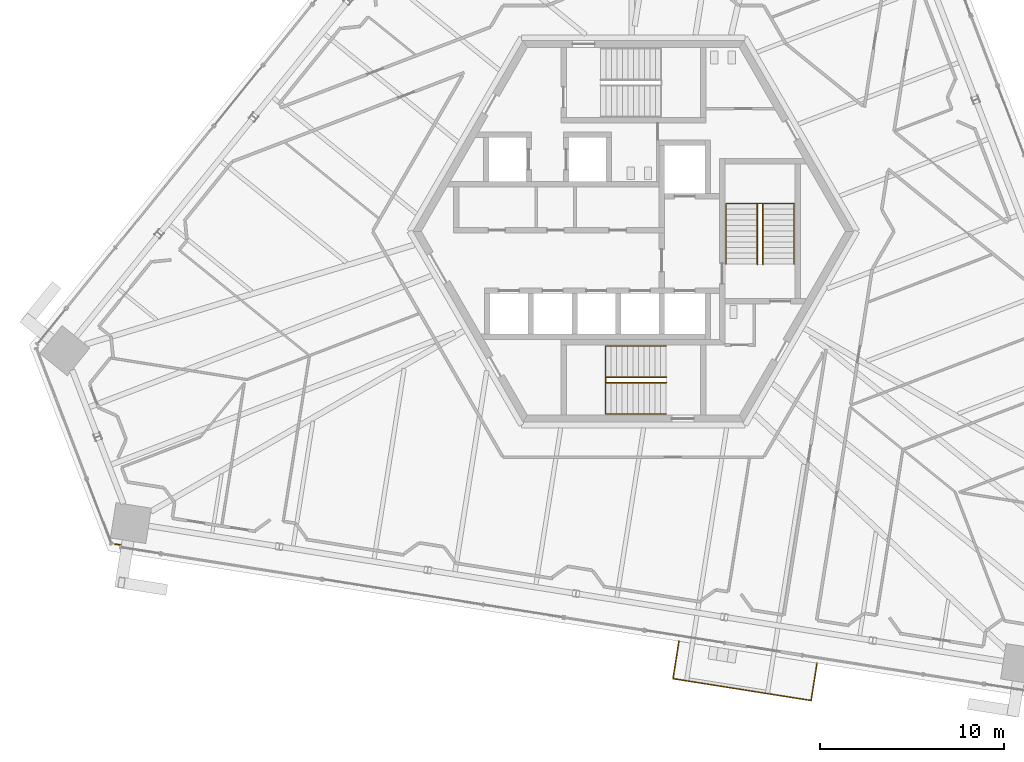
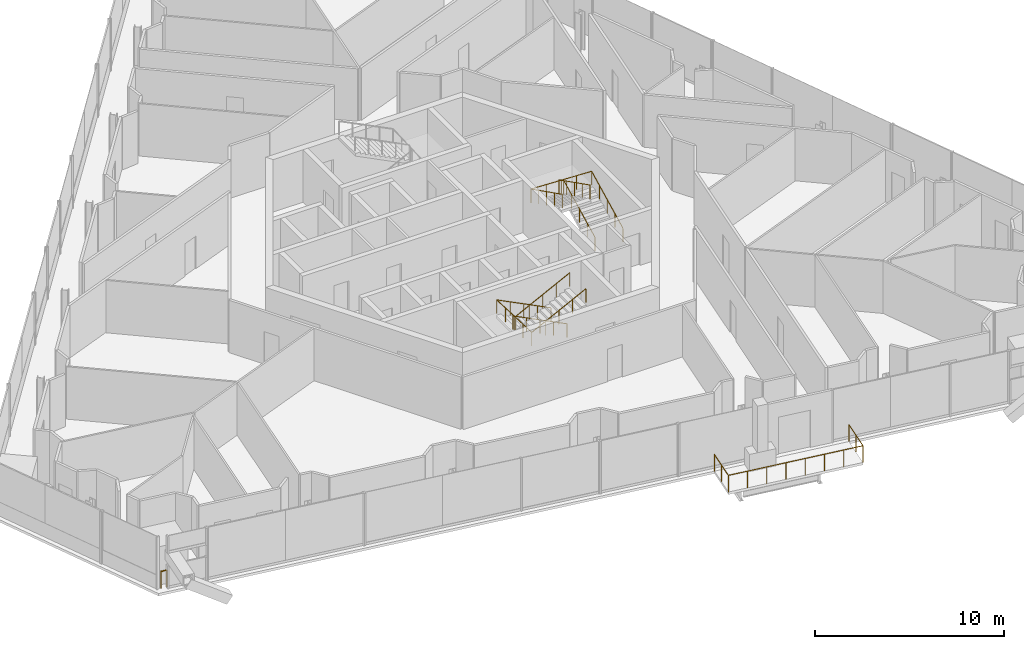
# One storey, part 19 of 23: 6 railings.
"""IFC4 building model written with IfcOpenShell, lengths in metres."""

from ifc_helpers import new_model, si_unit, direction, frame, origin, origin_2d, place, context, subcontext, project, spatial, circle, extrude, source, transform, mapped, material, type_object, element, save


model = new_model("IFC4")

# Units and contexts
model_context = context("Model", 3, precision=1e-05, world=origin(), true_north=direction((0.0, 1.0)))
body_context = subcontext(model_context, "Body", "Model", "MODEL_VIEW")
ifc_project = project(units=[si_unit("LENGTHUNIT", "METRE"), si_unit("AREAUNIT", "SQUARE_METRE"), si_unit("VOLUMEUNIT", "CUBIC_METRE"), si_unit("PLANEANGLEUNIT", "RADIAN"), si_unit("MASSUNIT", "GRAM", prefix="KILO")], contexts=[model_context])

# Site, building, storey
site_placement = place(None, origin())
site = spatial("IfcSite", under=ifc_project, at=site_placement, CompositionType="ELEMENT")
building_placement = place(site_placement, origin())
building = spatial("IfcBuilding", under=site, at=building_placement, Name="Triune Harvest Tower", CompositionType="ELEMENT")
storey_placement = place(building_placement, frame((0.0, 0.0, 171.300048828125)))
storey = spatial("IfcBuildingStorey", under=building, at=storey_placement, Name="L44", CompositionType="ELEMENT", Elevation=171.300048828125)

# Railings
ifc_material_1 = material(Name="Glass", Category="glass")
railing_type_1 = type_object("IfcRailingType", Name="GD-3 facade guard 1100", PredefinedType="GUARDRAIL", material=ifc_material_1)
railing_1_placement = place(storey_placement, frame((-28.209716796875, -17.023193359375, 0.0)))
element("IfcRailing", 1, at=railing_1_placement, inside=storey, type_object=railing_type_1, Name="Facade guard B4-F5 L44.1.1", PredefinedType="GUARDRAIL", context=body_context, shape_type="SweptSolid", body=[
    extrude(circle(Radius=0.02392578125, at=origin_2d()), frame((0.0, 0.0, 1.076171875), z_axis=(0.987617161826, -0.156883210275, 0.0), x_axis=(0.156883210275, 0.987617161826, 0.0)), (0.0, 0.0, 1.0), 0.326904296875),
    extrude(circle(Radius=0.02099609375, at=origin_2d()), origin(), (0.0, 0.0, 1.0), 1.052001953125),
    extrude(circle(Radius=0.02099609375, at=origin_2d()), frame((0.32275390625, -0.05126953125, 0.0)), (0.0, 0.0, 1.0), 1.052001953125),
])
ifc_material_2 = material(Name="Stainless steel AISI 316", Category="steel")
railing_type_2 = type_object("IfcRailingType", Name="Stair handrail", PredefinedType="HANDRAIL", material=ifc_material_2)
railing_2_placement = place(storey_placement, frame((1.7900390625, -6.239990234375, 0.15087890625)))
element("IfcRailing", 2, at=railing_2_placement, inside=storey, type_object=railing_type_2, Name="Exit stair south wall handrail", PredefinedType="HANDRAIL", context=body_context, shape_type="SweptSolid", body=[
    extrude(circle(Radius=0.02392578125, at=origin_2d()), frame((0.0, 0.0, 0.8759765625), z_axis=(-0.893168195916, 0.0, 0.449722774388), x_axis=(0.0, -1.0, 0.0)), (0.0, 0.0, 1.0), 3.69482421875),
    extrude(circle(Radius=0.02392578125, at=origin_2d()), frame((-3.300048828125, 0.0, 2.53759765625), z_axis=(0.0, -0.999169587562, 0.040744757843), x_axis=(1.0, 0.0, 0.0)), (0.0, 0.0, 1.0), 3.703125),
    extrude(circle(Radius=0.02392578125, at=origin_2d()), frame((-3.300048828125, -3.699951171875, 2.6884765625), z_axis=(0.893168195916, 0.0, 0.449722774388), x_axis=(0.0, 1.0, 0.0)), (0.0, 0.0, 1.0), 3.69482421875),
    extrude(circle(Radius=0.02099609375, at=origin_2d()), origin(), (0.0, 0.0, 1.0), 0.851806640625),
    extrude(circle(Radius=0.02099609375, at=origin_2d()), frame((-0.824951171875, 0.0, 0.41552734375)), (0.0, 0.0, 1.0), 0.851806640625),
    extrude(circle(Radius=0.02099609375, at=origin_2d()), frame((-1.64990234375, 0.0, 0.830810546875)), (0.0, 0.0, 1.0), 0.851806640625),
    extrude(circle(Radius=0.02099609375, at=origin_2d()), frame((-2.47509765625, 0.0, 1.24609375)), (0.0, 0.0, 1.0), 0.851806640625),
    extrude(circle(Radius=0.02099609375, at=origin_2d()), frame((-3.300048828125, 0.0, 1.66162109375)), (0.0, 0.0, 1.0), 0.851806640625),
    extrude(circle(Radius=0.02099609375, at=origin_2d()), frame((-3.300048828125, -0.925048828125, 1.69921875)), (0.0, 0.0, 1.0), 0.851806640625),
    extrude(circle(Radius=0.02099609375, at=origin_2d()), frame((-3.300048828125, -1.85009765625, 1.737060546875)), (0.0, 0.0, 1.0), 0.851806640625),
    extrude(circle(Radius=0.02099609375, at=origin_2d()), frame((-3.300048828125, -2.77490234375, 1.77490234375)), (0.0, 0.0, 1.0), 0.851806640625),
    extrude(circle(Radius=0.02099609375, at=origin_2d()), frame((-3.300048828125, -3.699951171875, 1.8125)), (0.0, 0.0, 1.0), 0.851806640625),
    extrude(circle(Radius=0.02099609375, at=origin_2d()), frame((-2.47509765625, -3.699951171875, 2.22802734375)), (0.0, 0.0, 1.0), 0.851806640625),
    extrude(circle(Radius=0.02099609375, at=origin_2d()), frame((-1.64990234375, -3.699951171875, 2.643310546875)), (0.0, 0.0, 1.0), 0.851806640625),
    extrude(circle(Radius=0.02099609375, at=origin_2d()), frame((-0.824951171875, -3.699951171875, 3.05859375)), (0.0, 0.0, 1.0), 0.851806640625),
    extrude(circle(Radius=0.02099609375, at=origin_2d()), frame((0.0, -3.699951171875, 3.47412109375)), (0.0, 0.0, 1.0), 0.851806640625),
])
railing_3_placement = place(storey_placement, frame((1.7900390625, -7.93994140625, 0.15087890625)))
element("IfcRailing", 3, at=railing_3_placement, inside=storey, type_object=railing_type_2, Name="Exit stair south centre handrail", PredefinedType="HANDRAIL", context=body_context, shape_type="SweptSolid", body=[
    extrude(circle(Radius=0.02392578125, at=origin_2d()), frame((0.0, 0.0, 0.8759765625), z_axis=(-0.893168195916, 0.0, 0.449722774388), x_axis=(0.0, -1.0, 0.0)), (0.0, 0.0, 1.0), 3.69482421875),
    extrude(circle(Radius=0.02392578125, at=origin_2d()), frame((-3.300048828125, 0.0, 2.53759765625), z_axis=(0.0, -0.8934071614, 0.449247864724), x_axis=(1.0, 0.0, 0.0)), (0.0, 0.0, 1.0), 0.3359375),
    extrude(circle(Radius=0.02392578125, at=origin_2d()), frame((-3.300048828125, -0.300048828125, 2.6884765625), z_axis=(0.893168195916, 0.0, 0.449722774388), x_axis=(0.0, 1.0, 0.0)), (0.0, 0.0, 1.0), 3.69482421875),
    extrude(circle(Radius=0.02099609375, at=origin_2d()), origin(), (0.0, 0.0, 1.0), 0.851806640625),
    extrude(circle(Radius=0.02099609375, at=origin_2d()), frame((-0.824951171875, 0.0, 0.41552734375)), (0.0, 0.0, 1.0), 0.851806640625),
    extrude(circle(Radius=0.02099609375, at=origin_2d()), frame((-1.64990234375, 0.0, 0.830810546875)), (0.0, 0.0, 1.0), 0.851806640625),
    extrude(circle(Radius=0.02099609375, at=origin_2d()), frame((-2.47509765625, 0.0, 1.24609375)), (0.0, 0.0, 1.0), 0.851806640625),
    extrude(circle(Radius=0.02099609375, at=origin_2d()), frame((-3.300048828125, 0.0, 1.66162109375)), (0.0, 0.0, 1.0), 0.851806640625),
    extrude(circle(Radius=0.02099609375, at=origin_2d()), frame((-3.300048828125, -0.300048828125, 1.8125)), (0.0, 0.0, 1.0), 0.851806640625),
    extrude(circle(Radius=0.02099609375, at=origin_2d()), frame((-2.47509765625, -0.300048828125, 2.22802734375)), (0.0, 0.0, 1.0), 0.851806640625),
    extrude(circle(Radius=0.02099609375, at=origin_2d()), frame((-1.64990234375, -0.300048828125, 2.643310546875)), (0.0, 0.0, 1.0), 0.851806640625),
    extrude(circle(Radius=0.02099609375, at=origin_2d()), frame((-0.824951171875, -0.300048828125, 3.05859375)), (0.0, 0.0, 1.0), 0.851806640625),
    extrude(circle(Radius=0.02099609375, at=origin_2d()), frame((0.0, -0.300048828125, 3.47412109375)), (0.0, 0.0, 1.0), 0.851806640625),
])
railing_4_placement = place(storey_placement, frame((8.75, -1.7900390625, 0.15087890625)))
element("IfcRailing", 4, at=railing_4_placement, inside=storey, type_object=railing_type_2, Name="Exit stair east wall handrail", PredefinedType="HANDRAIL", context=body_context, shape_type="SweptSolid", body=[
    extrude(circle(Radius=0.02392578125, at=origin_2d()), frame((0.0, 0.0, 0.8759765625), z_axis=(0.0, 0.893168195916, 0.449722774388), x_axis=(-1.0, 0.0, 0.0)), (0.0, 0.0, 1.0), 3.69482421875),
    extrude(circle(Radius=0.02392578125, at=origin_2d()), frame((0.0, 3.300048828125, 2.53759765625), z_axis=(-0.999169587562, 0.0, 0.040744757843), x_axis=(0.0, -1.0, 0.0)), (0.0, 0.0, 1.0), 3.703125),
    extrude(circle(Radius=0.02392578125, at=origin_2d()), frame((-3.699951171875, 3.300048828125, 2.6884765625), z_axis=(0.0, -0.893168195916, 0.449722774388), x_axis=(1.0, 0.0, 0.0)), (0.0, 0.0, 1.0), 3.69482421875),
    extrude(circle(Radius=0.02099609375, at=origin_2d()), origin(), (0.0, 0.0, 1.0), 0.851806640625),
    extrude(circle(Radius=0.02099609375, at=origin_2d()), frame((0.0, 0.824951171875, 0.41552734375)), (0.0, 0.0, 1.0), 0.851806640625),
    extrude(circle(Radius=0.02099609375, at=origin_2d()), frame((0.0, 1.64990234375, 0.830810546875)), (0.0, 0.0, 1.0), 0.851806640625),
    extrude(circle(Radius=0.02099609375, at=origin_2d()), frame((0.0, 2.47509765625, 1.24609375)), (0.0, 0.0, 1.0), 0.851806640625),
    extrude(circle(Radius=0.02099609375, at=origin_2d()), frame((0.0, 3.300048828125, 1.66162109375)), (0.0, 0.0, 1.0), 0.851806640625),
    extrude(circle(Radius=0.02099609375, at=origin_2d()), frame((-0.925048828125, 3.300048828125, 1.69921875)), (0.0, 0.0, 1.0), 0.851806640625),
    extrude(circle(Radius=0.02099609375, at=origin_2d()), frame((-1.85009765625, 3.300048828125, 1.737060546875)), (0.0, 0.0, 1.0), 0.851806640625),
    extrude(circle(Radius=0.02099609375, at=origin_2d()), frame((-2.77490234375, 3.300048828125, 1.77490234375)), (0.0, 0.0, 1.0), 0.851806640625),
    extrude(circle(Radius=0.02099609375, at=origin_2d()), frame((-3.699951171875, 3.300048828125, 1.8125)), (0.0, 0.0, 1.0), 0.851806640625),
    extrude(circle(Radius=0.02099609375, at=origin_2d()), frame((-3.699951171875, 2.47509765625, 2.22802734375)), (0.0, 0.0, 1.0), 0.851806640625),
    extrude(circle(Radius=0.02099609375, at=origin_2d()), frame((-3.699951171875, 1.64990234375, 2.643310546875)), (0.0, 0.0, 1.0), 0.851806640625),
    extrude(circle(Radius=0.02099609375, at=origin_2d()), frame((-3.699951171875, 0.824951171875, 3.05859375)), (0.0, 0.0, 1.0), 0.851806640625),
    extrude(circle(Radius=0.02099609375, at=origin_2d()), frame((-3.699951171875, 0.0, 3.47412109375)), (0.0, 0.0, 1.0), 0.851806640625),
])
railing_5_placement = place(storey_placement, frame((7.050048828125, -1.7900390625, 0.15087890625)))
element("IfcRailing", 5, at=railing_5_placement, inside=storey, type_object=railing_type_2, Name="Exit stair east centre handrail", PredefinedType="HANDRAIL", context=body_context, shape_type="SweptSolid", body=[
    extrude(circle(Radius=0.02392578125, at=origin_2d()), frame((0.0, 0.0, 0.8759765625), z_axis=(0.0, 0.893168195916, 0.449722774388), x_axis=(-1.0, 0.0, 0.0)), (0.0, 0.0, 1.0), 3.69482421875),
    extrude(circle(Radius=0.02392578125, at=origin_2d()), frame((0.0, 3.300048828125, 2.53759765625), z_axis=(-0.8934071614, 0.0, 0.449247864724), x_axis=(0.0, -1.0, 0.0)), (0.0, 0.0, 1.0), 0.3359375),
    extrude(circle(Radius=0.02392578125, at=origin_2d()), frame((-0.300048828125, 3.300048828125, 2.6884765625), z_axis=(0.0, -0.893168195916, 0.449722774388), x_axis=(1.0, 0.0, 0.0)), (0.0, 0.0, 1.0), 3.69482421875),
    extrude(circle(Radius=0.02099609375, at=origin_2d()), origin(), (0.0, 0.0, 1.0), 0.851806640625),
    extrude(circle(Radius=0.02099609375, at=origin_2d()), frame((0.0, 0.824951171875, 0.41552734375)), (0.0, 0.0, 1.0), 0.851806640625),
    extrude(circle(Radius=0.02099609375, at=origin_2d()), frame((0.0, 1.64990234375, 0.830810546875)), (0.0, 0.0, 1.0), 0.851806640625),
    extrude(circle(Radius=0.02099609375, at=origin_2d()), frame((0.0, 2.47509765625, 1.24609375)), (0.0, 0.0, 1.0), 0.851806640625),
    extrude(circle(Radius=0.02099609375, at=origin_2d()), frame((0.0, 3.300048828125, 1.66162109375)), (0.0, 0.0, 1.0), 0.851806640625),
    extrude(circle(Radius=0.02099609375, at=origin_2d()), frame((-0.300048828125, 3.300048828125, 1.8125)), (0.0, 0.0, 1.0), 0.851806640625),
    extrude(circle(Radius=0.02099609375, at=origin_2d()), frame((-0.300048828125, 2.47509765625, 2.22802734375)), (0.0, 0.0, 1.0), 0.851806640625),
    extrude(circle(Radius=0.02099609375, at=origin_2d()), frame((-0.300048828125, 1.64990234375, 2.643310546875)), (0.0, 0.0, 1.0), 0.851806640625),
    extrude(circle(Radius=0.02099609375, at=origin_2d()), frame((-0.300048828125, 0.824951171875, 3.05859375)), (0.0, 0.0, 1.0), 0.851806640625),
    extrude(circle(Radius=0.02099609375, at=origin_2d()), frame((-0.300048828125, 0.0, 3.47412109375)), (0.0, 0.0, 1.0), 0.851806640625),
])
ifc_material_3 = material(Name="Glass", Category="glass")
railing_type_3 = type_object("IfcRailingType", Name="GD-2 balcony guard 1100", PredefinedType="GUARDRAIL", material=ifc_material_3)
shared_shape = source(origin(), body_context, "Body", "SweptSolid", [
    extrude(circle(Radius=0.02392578125, at=origin_2d()), frame((0.0, 0.0, 1.076171875), z_axis=(-0.156327454925, -0.98770528339, 0.0), x_axis=(0.98770528339, -0.156327454925, 0.0)), (0.0, 0.0, 1.0), 2.0615234375),
    extrude(circle(Radius=0.02392578125, at=origin_2d()), frame((-0.322265625, -2.0361328125, 1.076171875), z_axis=(0.987686933126, -0.156443351191, 0.0), x_axis=(0.156443351191, 0.987686933126, 0.0)), (0.0, 0.0, 1.0), 7.614013671875),
    extrude(circle(Radius=0.02392578125, at=origin_2d()), frame((7.197998046875, -3.227294921875, 1.076171875), z_axis=(0.156442987384, 0.987686990751, 0.0), x_axis=(-0.987686990751, 0.156442987384, 0.0)), (0.0, 0.0, 1.0), 2.0615234375),
    extrude(circle(Radius=0.02099609375, at=origin_2d()), origin(), (0.0, 0.0, 1.0), 1.052001953125),
    extrude(circle(Radius=0.02099609375, at=origin_2d()), frame((-0.1611328125, -1.01806640625, 0.0)), (0.0, 0.0, 1.0), 1.052001953125),
    extrude(circle(Radius=0.02099609375, at=origin_2d()), frame((-0.322265625, -2.0361328125, 0.0)), (0.0, 0.0, 1.0), 1.052001953125),
    extrude(circle(Radius=0.02099609375, at=origin_2d()), frame((0.751953125, -2.206298828125, 0.0)), (0.0, 0.0, 1.0), 1.052001953125),
    extrude(circle(Radius=0.02099609375, at=origin_2d()), frame((1.826416015625, -2.37646484375, 0.0)), (0.0, 0.0, 1.0), 1.052001953125),
    extrude(circle(Radius=0.02099609375, at=origin_2d()), frame((2.900634765625, -2.546630859375, 0.0)), (0.0, 0.0, 1.0), 1.052001953125),
    extrude(circle(Radius=0.02099609375, at=origin_2d()), frame((3.97509765625, -2.716796875, 0.0)), (0.0, 0.0, 1.0), 1.052001953125),
    extrude(circle(Radius=0.02099609375, at=origin_2d()), frame((5.04931640625, -2.886962890625, 0.0)), (0.0, 0.0, 1.0), 1.052001953125),
    extrude(circle(Radius=0.02099609375, at=origin_2d()), frame((6.123779296875, -3.05712890625, 0.0)), (0.0, 0.0, 1.0), 1.052001953125),
    extrude(circle(Radius=0.02099609375, at=origin_2d()), frame((7.197998046875, -3.227294921875, 0.0)), (0.0, 0.0, 1.0), 1.052001953125),
    extrude(circle(Radius=0.02099609375, at=origin_2d()), frame((7.359375, -2.209228515625, 0.0)), (0.0, 0.0, 1.0), 1.052001953125),
    extrude(circle(Radius=0.02099609375, at=origin_2d()), frame((7.5205078125, -1.191162109375, 0.0)), (0.0, 0.0, 1.0), 1.052001953125),
])
railing_6_placement = place(storey_placement, frame((2.478515625, -22.31298828125, 0.0)))
element("IfcRailing", 6, at=railing_6_placement, inside=storey, type_object=railing_type_3, Name="Balcony guard B4-F5 L44.9", PredefinedType="GUARDRAIL", context=body_context, shape_type="MappedRepresentation", body=[
    mapped(shared_shape, transform((0.0, 0.0, 0.0), scale=1.0)),
])

save(model, "model.ifc")
